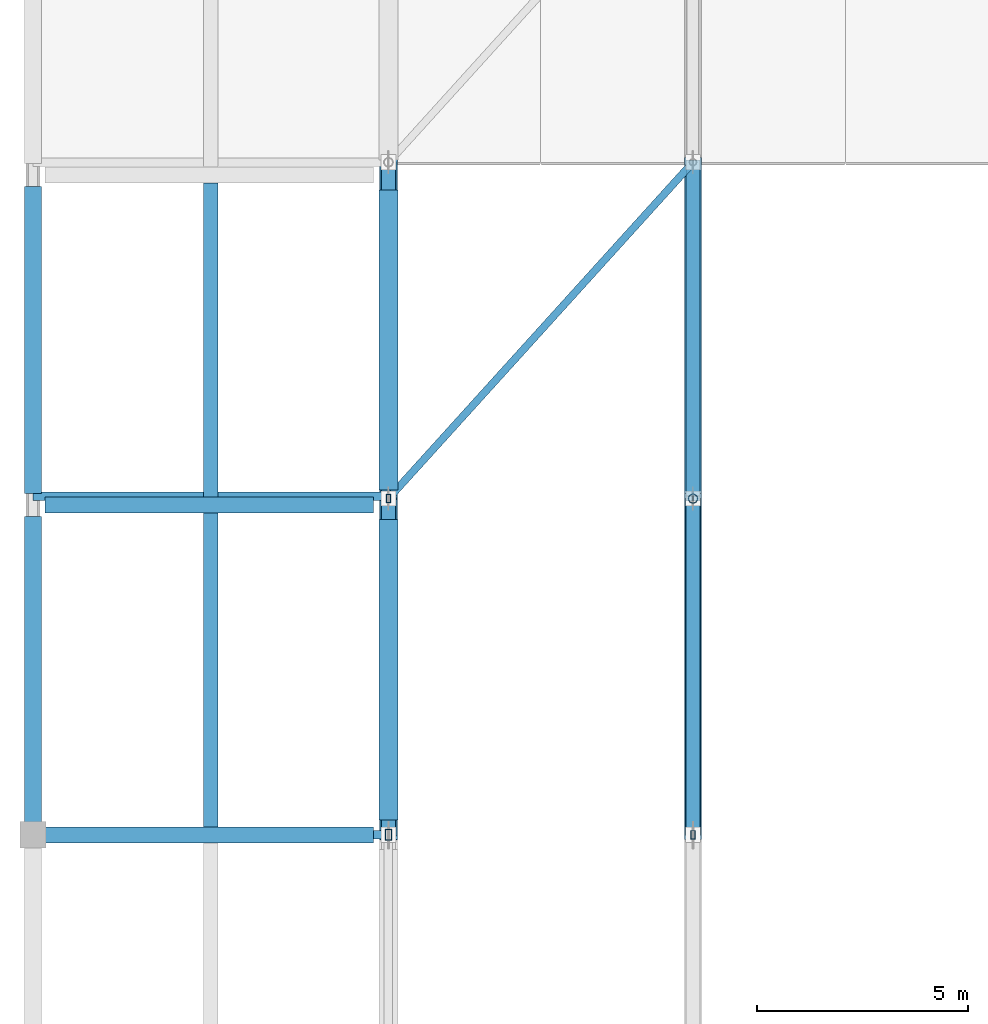
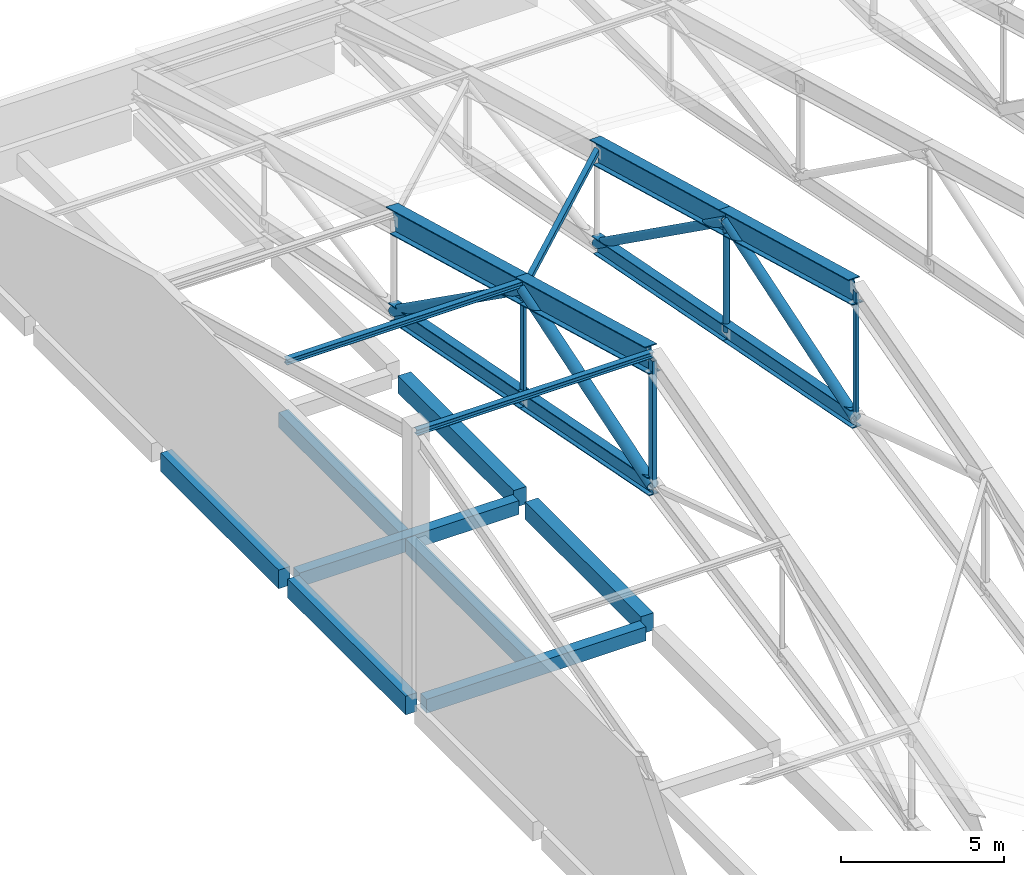
# One storey, part 14 of 53: 16 beams, 11 members.
"""IFC4 building model written with IfcOpenShell, lengths in metres."""

import ifcopenshell
import ifcopenshell.guid

model = None  # the IFC model being written
_history = None  # IfcOwnerHistory: only IFC2X3 demands one
_inside = {}  # id of a spatial element -> (the spatial element, [elements in it])
_under = {}  # id of a project, library or spatial element -> (it, [spatial elements below it])
_declared = {}  # id of a project -> (the project, [libraries it declares])
_typed = {}  # id of a type object -> (the type object, [elements of that type])
_made_of = {}  # id of a material, layer set ... -> (it, [elements and type objects made of it])


def new_model(schema):
    """Start an empty IFC model of exactly this schema.

    Asked for "IFC4X3", IfcOpenShell would pick the latest addendum, in which some entities
    have other attributes; the version numbers below select the first issue.
    IFC2X3 requires an IfcOwnerHistory on every rooted entity: one is made here for all.
    """
    global model, _history
    if schema == "IFC4X3":
        model = ifcopenshell.file(schema_version=(4, 3, 0, 0))
    else:
        model = ifcopenshell.file(schema=schema)
    _inside.clear()
    _under.clear()
    _declared.clear()
    _typed.clear()
    _made_of.clear()
    _history = None
    if model.schema == "IFC2X3":
        org = make("IfcOrganization", Name="unknown")
        user = make(
            "IfcPersonAndOrganization",
            ThePerson=make("IfcPerson", FamilyName="unknown"),
            TheOrganization=org,
        )
        app = make(
            "IfcApplication",
            ApplicationDeveloper=org,
            Version="unknown",
            ApplicationFullName="unknown",
            ApplicationIdentifier="unknown",
        )
        _history = make(
            "IfcOwnerHistory",
            OwningUser=user,
            OwningApplication=app,
            ChangeAction="ADDED",
            CreationDate=0,
        )
    return model


def make(cls, **values):
    """One entity of the class cls with the attributes given. An attribute that is None is left unset."""
    return model.create_entity(
        cls, **{name: value for name, value in values.items() if value is not None}
    )


def rooted(cls, **values):
    """An entity with a GlobalId (a new one), such as an element, a storey or a relation."""
    return make(cls, GlobalId=ifcopenshell.guid.new(), OwnerHistory=_history, **values)


def si_unit(unit_type, name, prefix=None):
    """IfcSIUnit, for example si_unit("LENGTHUNIT", "METRE", prefix="MILLI")."""
    return make("IfcSIUnit", UnitType=unit_type, Prefix=prefix, Name=name)


def assignment(units):
    """IfcUnitAssignment: the units of a project."""
    return None if units is None else make("IfcUnitAssignment", Units=units)


def point(xyz):
    """IfcCartesianPoint."""
    return None if xyz is None else make("IfcCartesianPoint", Coordinates=xyz)


def direction(xyz):
    """IfcDirection."""
    return None if xyz is None else make("IfcDirection", DirectionRatios=xyz)


def frame(location, z_axis=None, x_axis=None):
    """IfcAxis2Placement3D, a coordinate frame: its origin and axes. An axis left out is left unset."""
    return make(
        "IfcAxis2Placement3D",
        Location=point(location),
        Axis=direction(z_axis),
        RefDirection=direction(x_axis),
    )


def frame_2d(location, x_axis=None):
    """IfcAxis2Placement2D, a coordinate frame in the plane: its origin and x axis."""
    return make(
        "IfcAxis2Placement2D", Location=point(location), RefDirection=direction(x_axis)
    )


def origin():
    """The frame at (0, 0, 0) with its axes left unset."""
    return frame((0.0, 0.0, 0.0))


def origin_2d():
    """The frame at (0, 0) in the plane with its x axis left unset."""
    return frame_2d((0.0, 0.0))


def place(relative_to, where):
    """IfcLocalPlacement: puts the frame where relative to a parent placement (None: the world)."""
    return make(
        "IfcLocalPlacement", PlacementRelTo=relative_to, RelativePlacement=where
    )


def context(
    kind, dimensions, precision=None, world=None, true_north=None, identifier=None
):
    """IfcGeometricRepresentationContext, for example the 3D "Model" context."""
    return make(
        "IfcGeometricRepresentationContext",
        ContextIdentifier=identifier,
        ContextType=kind,
        CoordinateSpaceDimension=dimensions,
        Precision=precision,
        WorldCoordinateSystem=world,
        TrueNorth=true_north,
    )


def subcontext(parent, identifier, kind, view, scale=None):
    """IfcGeometricRepresentationSubContext, for example "Body" below "Model"."""
    return make(
        "IfcGeometricRepresentationSubContext",
        ContextIdentifier=identifier,
        ContextType=kind,
        ParentContext=parent,
        TargetScale=scale,
        TargetView=view,
    )


def project(units=None, contexts=None):
    """IfcProject with its units and contexts."""
    return rooted(
        "IfcProject",
        Name="project",
        RepresentationContexts=contexts,
        UnitsInContext=assignment(units),
    )


def spatial(cls, under=None, at=None, **own):
    """A site, building, storey or space (cls), placed at a placement, below another one or the project."""
    s = rooted(cls, ObjectPlacement=at, **own)
    if under is not None:
        _under.setdefault(under.id(), (under, []))[1].append(s)
    return s


def profile(cls, at=None, kind="AREA", **sizes):
    """A parametric profile (cls). Its sizes go by their IFC names, for example OverallWidth=200.0."""
    return make(cls, ProfileType=kind, Position=at, **sizes)


def rectangle(**sizes):
    """IfcRectangleProfileDef."""
    return profile("IfcRectangleProfileDef", **sizes)


def hollow_rectangle(**sizes):
    """IfcRectangleHollowProfileDef."""
    return profile("IfcRectangleHollowProfileDef", **sizes)


def hollow_circle(**sizes):
    """IfcCircleHollowProfileDef."""
    return profile("IfcCircleHollowProfileDef", **sizes)


def i_section(**sizes):
    """IfcIShapeProfileDef."""
    return profile("IfcIShapeProfileDef", **sizes)


def extrude(swept, where, along, depth):
    """IfcExtrudedAreaSolid: the profile swept, set in the frame where, extruded along a direction by depth."""
    return make(
        "IfcExtrudedAreaSolid",
        SweptArea=swept,
        Position=where,
        ExtrudedDirection=direction(along),
        Depth=depth,
    )


def shape(context_of_items, identifier, shape_type, items):
    """IfcShapeRepresentation: the items that make up one representation, for example the "Body"."""
    return make(
        "IfcShapeRepresentation",
        ContextOfItems=context_of_items,
        RepresentationIdentifier=identifier,
        RepresentationType=shape_type,
        Items=items,
    )


def material(Name=None, Category=None):
    """IfcMaterial."""
    return make("IfcMaterial", Name=Name, Category=Category)


def material_profile(
    of_material, cross_section, Name=None, Category=None, Priority=None
):
    """IfcMaterialProfile: a cross section and its material."""
    return make(
        "IfcMaterialProfile",
        Name=Name,
        Material=of_material,
        Profile=cross_section,
        Priority=Priority,
        Category=Category,
    )


def profile_set(profiles, Name=None, composite=None):
    """IfcMaterialProfileSet."""
    return make(
        "IfcMaterialProfileSet",
        Name=Name,
        MaterialProfiles=profiles,
        CompositeProfile=composite,
    )


def made_of(thing, what):
    """Note that an element or type object is made of a material, layer set ...; save() writes the relation."""
    if what is not None:
        _made_of.setdefault(what.id(), (what, []))[1].append(thing)
    return thing


def type_object(cls, material=None, **own):
    """A type object (cls), such as IfcWallType, which elements share."""
    return made_of(rooted(cls, **own), material)


def element(
    cls,
    number,
    at=None,
    inside=None,
    cuts=None,
    type_object=None,
    material=None,
    context=None,
    identifier="Body",
    shape_type=None,
    held_by="IfcProductDefinitionShape",
    body=None,
    shapes=None,
    **own,
):
    """One element of the class cls, such as IfcWall. Its Tag is "e" and its number.

    at: its placement. inside: the storey or other place that contains it. cuts: it is an
    opening in that element (IfcRelVoidsElement). A single representation is given by context,
    identifier, shape_type and body (its items); several are given by shapes. held_by: the class
    of the entity that holds the representations. save() writes the other relations.
    """
    e = rooted(cls, Tag="e%d" % number, ObjectPlacement=at, **own)
    if body is not None:
        shapes = [shape(context, identifier, shape_type, body)]
    if shapes is not None:
        e.Representation = make(held_by, Representations=shapes)
    if inside is not None:
        _inside.setdefault(inside.id(), (inside, []))[1].append(e)
    if cuts is not None:
        rooted(
            "IfcRelVoidsElement", RelatingBuildingElement=cuts, RelatedOpeningElement=e
        )
    if type_object is not None:
        _typed.setdefault(type_object.id(), (type_object, []))[1].append(e)
    return made_of(e, material)


def aggregate(whole, parts):
    """IfcRelAggregates: a whole, such as a stair, and the parts it consists of."""
    return rooted("IfcRelAggregates", RelatingObject=whole, RelatedObjects=parts)


def save(model, path):
    """Write the relations noted so far, then the file.

    IfcRelAggregates (storeys below a building ...), IfcRelContainedInSpatialStructure (elements
    in a storey), IfcRelDefinesByType, IfcRelAssociatesMaterial and IfcRelDeclares: one each for
    every whole, place, type object, material and project.
    """
    for whole, parts in _under.values():
        aggregate(whole, parts)
    for where, things in _inside.values():
        rooted(
            "IfcRelContainedInSpatialStructure",
            RelatedElements=things,
            RelatingStructure=where,
        )
    for kind, things in _typed.values():
        rooted("IfcRelDefinesByType", RelatedObjects=things, RelatingType=kind)
    for what, things in _made_of.values():
        rooted("IfcRelAssociatesMaterial", RelatedObjects=things, RelatingMaterial=what)
    for by, libraries in _declared.values():
        rooted("IfcRelDeclares", RelatingContext=by, RelatedDefinitions=libraries)
    model.write(path)


model = new_model("IFC4")

# Units and contexts
model_context = context("Model", 3, precision=1e-05, world=origin(), true_north=direction((0.0, 1.0)))
body_context = subcontext(model_context, "Body", "Model", "MODEL_VIEW")
ifc_project = project(units=[si_unit("LENGTHUNIT", "METRE"), si_unit("AREAUNIT", "SQUARE_METRE"), si_unit("VOLUMEUNIT", "CUBIC_METRE"), si_unit("PLANEANGLEUNIT", "RADIAN"), si_unit("MASSUNIT", "GRAM", prefix="KILO")], contexts=[model_context])

# Site, building, storey
site_placement = place(None, origin())
site = spatial("IfcSite", under=ifc_project, at=site_placement, CompositionType="ELEMENT")
building_placement = place(site_placement, origin())
building = spatial("IfcBuilding", under=site, at=building_placement, Name="Pellamere Symphony Hall", CompositionType="ELEMENT")
storey_placement = place(building_placement, frame((0.0, 0.0, 24.0)))
storey = spatial("IfcBuildingStorey", under=building, at=storey_placement, Name="L05", CompositionType="ELEMENT", Elevation=24.0)

# Beams
ifc_material_1 = material(Name="Concrete 40 MPa", Category="concrete")
ifc_material_profile_1 = material_profile(ifc_material_1, rectangle(XDim=0.449951171875, YDim=0.64990234375, at=origin_2d()), Name="RC 450x650")
ifc_profile_set_1 = profile_set([ifc_material_profile_1], Name="Concrete 40 MPa")
beam_type_1 = type_object("IfcBeamType", Name="RC CB-08 450x650", PredefinedType="BEAM", material=ifc_profile_set_1)
for number, where, z_axis, x_axis, name in (
    (1, (58.800048828125, 62.14990234375, -0.5849609375), (0.0, 1.0, 0.0), (-1.0, 0.0, 0.0), "Girder CB-08-Y2082 (L05)"),
    (2, (58.800048828125, 69.949951171875, -0.5849609375), (0.0, 1.0, 0.0), (-1.0, 0.0, 0.0), "Girder CB-08-Y2083 (L05)"),
):
    element("IfcBeam", number, at=place(storey_placement, frame(where, z_axis=z_axis, x_axis=x_axis)), inside=storey, type_object=beam_type_1, Name=name, PredefinedType="BEAM", context=body_context, shape_type="SweptSolid", body=[
        extrude(rectangle(XDim=0.449951171875, YDim=0.64990234375, at=origin_2d()), origin(), (0.0, 0.0, 1.0), 7.10009765625),
    ])
ifc_material_2 = material(Name="Concrete 35 MPa", Category="concrete")
ifc_material_profile_2 = material_profile(ifc_material_2, rectangle(XDim=0.35009765625, YDim=0.550048828125, at=origin_2d()), Name="RC 350x550")
ifc_profile_set_2 = profile_set([ifc_material_profile_2], Name="Concrete 35 MPa")
beam_type_2 = type_object("IfcBeamType", Name="RC CB-10 350x550", PredefinedType="BEAM", material=ifc_profile_set_2)
for number, where, z_axis, x_axis, name in (
    (3, (54.60009765625, 61.989990234375, -0.550048828125), (0.0, 1.0, 0.0), (-1.0, 0.0, 0.0), "Secondary Floor Beam CB-10-M0608 (L05)"),
    (4, (54.60009765625, 69.7900390625, -0.550048828125), (0.0, 1.0, 0.0), (-1.0, 0.0, 0.0), "Secondary Floor Beam CB-10-M0609 (L05)"),
):
    element("IfcBeam", number, at=place(storey_placement, frame(where, z_axis=z_axis, x_axis=x_axis)), inside=storey, type_object=beam_type_2, Name=name, PredefinedType="BEAM", context=body_context, shape_type="SweptSolid", body=[
        extrude(rectangle(XDim=0.35009765625, YDim=0.550048828125, at=origin_2d()), origin(), (0.0, 0.0, 1.0), 7.419921875),
    ])
ifc_material_profile_3 = material_profile(ifc_material_1, rectangle(XDim=0.39990234375, YDim=0.699951171875, at=origin_2d()), Name="RC 400x700")
ifc_profile_set_3 = profile_set([ifc_material_profile_3], Name="Concrete 40 MPa")
beam_type_3 = type_object("IfcBeamType", Name="RC CB-13 400x700", PredefinedType="SPANDREL", material=ifc_profile_set_3)
for number, where, z_axis, x_axis, name in (
    (5, (50.39990234375, 62.074951171875, -0.610107421875), (0.0, 1.0, 0.0), (-1.0, 0.0, 0.0), "Girder CB-13-Y2074 (L05)"),
    (6, (50.39990234375, 69.875, -0.610107421875), (0.0, 1.0, 0.0), (-1.0, 0.0, 0.0), "Girder CB-13-Y2075 (L05)"),
):
    element("IfcBeam", number, at=place(storey_placement, frame(where, z_axis=z_axis, x_axis=x_axis)), inside=storey, type_object=beam_type_3, Name=name, PredefinedType="SPANDREL", context=body_context, shape_type="SweptSolid", body=[
        extrude(rectangle(XDim=0.39990234375, YDim=0.699951171875, at=origin_2d()), origin(), (0.0, 0.0, 1.0), 7.25),
    ])
ifc_material_profile_4 = material_profile(ifc_material_1, rectangle(XDim=0.3798828125, YDim=0.52001953125, at=origin_2d()), Name="RC 380x520")
ifc_profile_set_4 = profile_set([ifc_material_profile_4], Name="Concrete 40 MPa")
beam_type_4 = type_object("IfcBeamType", Name="RC CB-21 380x520", PredefinedType="BEAM", material=ifc_profile_set_4)
for number, where, z_axis, x_axis, name in (
    (7, (50.675048828125, 61.800048828125, -0.52001953125), (1.0, 0.0, 0.0), (0.0, 1.0, 0.0), "Girder CB-21-X2041 (L05)"),
    (8, (50.675048828125, 69.60009765625, -0.52001953125), (1.0, 0.0, 0.0), (0.0, 1.0, 0.0), "Girder CB-21-X2046 (L05)"),
):
    element("IfcBeam", number, at=place(storey_placement, frame(where, z_axis=z_axis, x_axis=x_axis)), inside=storey, type_object=beam_type_4, Name=name, PredefinedType="BEAM", context=body_context, shape_type="SweptSolid", body=[
        extrude(rectangle(XDim=0.3798828125, YDim=0.52001953125, at=origin_2d()), origin(), (0.0, 0.0, 1.0), 7.77490234375),
    ])
ifc_material_3 = material(Name="Steel CSA G40.21 350W", Category="steel")
ifc_material_profile_5 = material_profile(ifc_material_3, i_section(OverallWidth=0.41796875, OverallDepth=0.912109375, WebThickness=0.019287109375, FlangeThickness=0.031982421875, at=origin_2d()), Name="W920X342")
ifc_profile_set_5 = profile_set([ifc_material_profile_5], Name="Steel CSA G40.21 350W")
beam_type_5 = type_object("IfcBeamType", Name="Steel Beam SB-01 W920X342", PredefinedType="BEAM", material=ifc_profile_set_5)
for number, where, z_axis, x_axis, name in (
    (9, (58.800048828125, 61.800048828125, 9.5390625), (0.0, 0.964090435702, -0.265574154969), (-1.0, 0.0, 0.0), "Roof Truss TR-01 Top Chord 5"),
    (10, (58.800048828125, 69.75, 7.34912109375), (0.0, 0.964082854885, -0.265601673408), (-1.0, 0.0, 0.0), "Roof Truss TR-01 Top Chord 6"),
):
    element("IfcBeam", number, at=place(storey_placement, frame(where, z_axis=z_axis, x_axis=x_axis)), inside=storey, type_object=beam_type_5, Name=name, PredefinedType="BEAM", context=body_context, shape_type="SweptSolid", body=[
        extrude(i_section(OverallWidth=0.41796875, OverallDepth=0.912109375, WebThickness=0.019287109375, FlangeThickness=0.031982421875, at=origin_2d()), origin(), (0.0, 0.0, 1.0), 8.24609375),
    ])
ifc_material_profile_6 = material_profile(ifc_material_3, i_section(OverallWidth=0.39990234375, OverallDepth=0.85498046875, WebThickness=0.018310546875, FlangeThickness=0.029296875, at=origin_2d()), Name="W840X299")
ifc_profile_set_6 = profile_set([ifc_material_profile_6], Name="Steel CSA G40.21 350W")
beam_type_6 = type_object("IfcBeamType", Name="Steel Beam SB-03 W840X299", PredefinedType="BEAM", material=ifc_profile_set_6)
for number, where, z_axis, x_axis, name in (
    (11, (66.0, 61.800048828125, 9.5673828125), (0.0, 0.964090435702, -0.265574154969), (-1.0, 0.0, 0.0), "Roof Truss TR-02 Top Chord 5"),
    (12, (66.0, 69.75, 7.37744140625), (0.0, 0.964090435702, -0.265574154969), (-1.0, 0.0, 0.0), "Roof Truss TR-02 Top Chord 6"),
):
    element("IfcBeam", number, at=place(storey_placement, frame(where, z_axis=z_axis, x_axis=x_axis)), inside=storey, type_object=beam_type_6, Name=name, PredefinedType="BEAM", context=body_context, shape_type="SweptSolid", body=[
        extrude(i_section(OverallWidth=0.39990234375, OverallDepth=0.85498046875, WebThickness=0.018310546875, FlangeThickness=0.029296875, at=origin_2d()), origin(), (0.0, 0.0, 1.0), 8.24609375),
    ])
ifc_material_profile_7 = material_profile(ifc_material_3, i_section(OverallWidth=0.3291015625, OverallDepth=0.635009765625, WebThickness=0.017822265625, FlangeThickness=0.031005859375, at=origin_2d()), Name="W610X241")
ifc_profile_set_7 = profile_set([ifc_material_profile_7], Name="Steel CSA G40.21 350W")
beam_type_7 = type_object("IfcBeamType", Name="Steel Beam SB-09 W610X241", PredefinedType="BEAM", material=ifc_profile_set_7)
for number, where, z_axis, x_axis, name in (
    (13, (58.800048828125, 61.800048828125, 4.800048828125), (0.0, 0.981596715528, -0.190965672477), (-1.0, 0.0, 0.0), "Roof Truss TR-01 Bottom Chord 5"),
    (14, (58.800048828125, 69.75, 3.25341796875), (0.0, 0.981596715528, -0.190965672477), (-1.0, 0.0, 0.0), "Roof Truss TR-01 Bottom Chord 6"),
):
    element("IfcBeam", number, at=place(storey_placement, frame(where, z_axis=z_axis, x_axis=x_axis)), inside=storey, type_object=beam_type_7, Name=name, PredefinedType="BEAM", context=body_context, shape_type="SweptSolid", body=[
        extrude(i_section(OverallWidth=0.3291015625, OverallDepth=0.635009765625, WebThickness=0.017822265625, FlangeThickness=0.031005859375, at=origin_2d()), origin(), (0.0, 0.0, 1.0), 8.09912109375),
    ])
ifc_material_profile_8 = material_profile(ifc_material_3, i_section(OverallWidth=0.324951171875, OverallDepth=0.615966796875, WebThickness=0.013916015625, FlangeThickness=0.021484375, at=origin_2d()), Name="W610X174")
ifc_profile_set_8 = profile_set([ifc_material_profile_8], Name="Steel CSA G40.21 350W")
beam_type_8 = type_object("IfcBeamType", Name="Steel Beam SB-10 W610X174", PredefinedType="BEAM", material=ifc_profile_set_8)
for number, where, z_axis, x_axis, name in (
    (15, (66.0, 61.800048828125, 4.800048828125), (0.0, 0.981596715528, -0.190965672477), (-1.0, 0.0, 0.0), "Roof Truss TR-02 Bottom Chord 5"),
    (16, (66.0, 69.75, 3.25341796875), (0.0, 0.981596715528, -0.190965672477), (-1.0, 0.0, 0.0), "Roof Truss TR-02 Bottom Chord 6"),
):
    element("IfcBeam", number, at=place(storey_placement, frame(where, z_axis=z_axis, x_axis=x_axis)), inside=storey, type_object=beam_type_8, Name=name, PredefinedType="BEAM", context=body_context, shape_type="SweptSolid", body=[
        extrude(i_section(OverallWidth=0.324951171875, OverallDepth=0.615966796875, WebThickness=0.013916015625, FlangeThickness=0.021484375, at=origin_2d()), origin(), (0.0, 0.0, 1.0), 8.09912109375),
    ])

# Members
ifc_material_profile_9 = material_profile(ifc_material_3, hollow_rectangle(XDim=0.177734375, YDim=0.177734375, WallThickness=0.009521484375, at=origin_2d()), Name="HSS178X178X10")
ifc_profile_set_9 = profile_set([ifc_material_profile_9], Name="Steel CSA G40.21 350W")
member_type_1 = type_object("IfcMemberType", Name="Steel Member SM-05 HSS178X178X10", PredefinedType="BRACE", material=ifc_profile_set_9)
member_1_placement = place(storey_placement, frame((58.800048828125, 69.75, 7.34912109375), z_axis=(0.658048279578, 0.726595440232, -0.197563984517), x_axis=(-0.741204587213, 0.67127919668, 0.0)))
element("IfcMember", 17, at=member_1_placement, inside=storey, type_object=member_type_1, Name="Roof Truss Plan Wind Brace 1.5", PredefinedType="BRACE", context=body_context, shape_type="SweptSolid", body=[
    extrude(hollow_rectangle(XDim=0.177734375, YDim=0.177734375, WallThickness=0.009521484375, at=origin_2d()), origin(), (0.0, 0.0, 1.0), 10.94140625),
])
ifc_material_profile_10 = material_profile(ifc_material_3, hollow_rectangle(XDim=0.15234375, YDim=0.25390625, WallThickness=0.010986328125, at=origin_2d()), Name="HSS254X152X11")
ifc_profile_set_10 = profile_set([ifc_material_profile_10], Name="Steel CSA G40.21 350W")
member_type_2 = type_object("IfcMemberType", Name="Steel Member SM-07 HSS254X152X11", PredefinedType="STRUT", material=ifc_profile_set_10)
member_2_placement = place(storey_placement, frame((58.800048828125, 61.800048828125, 4.800048828125), z_axis=(0.0, 0.0, 1.0), x_axis=(1.0, 0.0, 0.0)))
element("IfcMember", 18, at=member_2_placement, inside=storey, type_object=member_type_2, Name="Roof Truss TR-01 Vertical Post 4", PredefinedType="STRUT", context=body_context, shape_type="SweptSolid", body=[
    extrude(hollow_rectangle(XDim=0.15234375, YDim=0.25390625, WallThickness=0.010986328125, at=origin_2d()), origin(), (0.0, 0.0, 1.0), 4.739013671875),
])
ifc_material_profile_11 = material_profile(ifc_material_3, hollow_rectangle(XDim=0.1015625, YDim=0.203125, WallThickness=0.009521484375, at=origin_2d()), Name="HSS203X102X10")
ifc_profile_set_11 = profile_set([ifc_material_profile_11], Name="Steel CSA G40.21 350W")
member_type_3 = type_object("IfcMemberType", Name="Steel Member SM-08 HSS203X102X10", PredefinedType="STRUT", material=ifc_profile_set_11)
member_3_placement = place(storey_placement, frame((58.800048828125, 69.75, 3.25341796875), z_axis=(0.0, 0.0, 1.0), x_axis=(1.0, 0.0, 0.0)))
element("IfcMember", 19, at=member_3_placement, inside=storey, type_object=member_type_3, Name="Roof Truss TR-01 Vertical Post 5", PredefinedType="STRUT", context=body_context, shape_type="SweptSolid", body=[
    extrude(hollow_rectangle(XDim=0.1015625, YDim=0.203125, WallThickness=0.009521484375, at=origin_2d()), origin(), (0.0, 0.0, 1.0), 4.095703125),
])
member_4_placement = place(storey_placement, frame((66.0, 61.800048828125, 4.800048828125), z_axis=(0.0, 0.0, 1.0), x_axis=(1.0, 0.0, 0.0)))
element("IfcMember", 20, at=member_4_placement, inside=storey, type_object=member_type_3, Name="Roof Truss TR-02 Vertical Post 4", PredefinedType="STRUT", context=body_context, shape_type="SweptSolid", body=[
    extrude(hollow_rectangle(XDim=0.1015625, YDim=0.203125, WallThickness=0.009521484375, at=origin_2d()), origin(), (0.0, 0.0, 1.0), 4.767333984375),
])
ifc_material_profile_12 = material_profile(ifc_material_3, hollow_circle(Radius=0.203125, WallThickness=0.0126953125, at=origin_2d()), Name="HSS406X13")
ifc_profile_set_12 = profile_set([ifc_material_profile_12], Name="Steel CSA G40.21 350W")
member_type_4 = type_object("IfcMemberType", Name="Steel Member SM-09 HSS406X13", PredefinedType="STRUT", material=ifc_profile_set_12)
member_5_placement = place(storey_placement, frame((58.800048828125, 61.800048828125, 4.800048828125), z_axis=(0.0, 0.952247084359, 0.305328495771), x_axis=(-1.0, 0.0, 0.0)))
element("IfcMember", 21, at=member_5_placement, inside=storey, type_object=member_type_4, Name="Roof Truss TR-01 Web Diagonal 5", PredefinedType="STRUT", context=body_context, shape_type="SweptSolid", body=[
    extrude(hollow_circle(Radius=0.203125, WallThickness=0.0126953125, at=origin_2d()), origin(), (0.0, 0.0, 1.0), 8.3486328125),
])
ifc_material_profile_13 = material_profile(ifc_material_3, hollow_circle(Radius=0.177734375, WallThickness=0.0126953125, at=origin_2d()), Name="HSS356X13")
ifc_profile_set_13 = profile_set([ifc_material_profile_13], Name="Steel CSA G40.21 350W")
member_type_5 = type_object("IfcMemberType", Name="Steel Member SM-10 HSS356X13", PredefinedType="STRUT", material=ifc_profile_set_13)
member_6_placement = place(storey_placement, frame((58.800048828125, 69.75, 7.34912109375), z_axis=(0.0, 0.815486173655, -0.578776554965), x_axis=(-1.0, 0.0, 0.0)))
element("IfcMember", 22, at=member_6_placement, inside=storey, type_object=member_type_5, Name="Roof Truss TR-01 Web Diagonal 6", PredefinedType="STRUT", context=body_context, shape_type="SweptSolid", body=[
    extrude(hollow_circle(Radius=0.177734375, WallThickness=0.0126953125, at=origin_2d()), origin(), (0.0, 0.0, 1.0), 9.748779296875),
])
member_7_placement = place(storey_placement, frame((66.0, 61.800048828125, 4.800048828125), z_axis=(0.0, 0.951256872243, 0.308399680627), x_axis=(-1.0, 0.0, 0.0)))
element("IfcMember", 23, at=member_7_placement, inside=storey, type_object=member_type_5, Name="Roof Truss TR-02 Web Diagonal 5", PredefinedType="STRUT", context=body_context, shape_type="SweptSolid", body=[
    extrude(hollow_circle(Radius=0.177734375, WallThickness=0.0126953125, at=origin_2d()), origin(), (0.0, 0.0, 1.0), 8.357421875),
])
ifc_material_profile_14 = material_profile(ifc_material_3, hollow_circle(Radius=0.161865234375, WallThickness=0.010986328125, at=origin_2d()), Name="HSS324X11")
ifc_profile_set_14 = profile_set([ifc_material_profile_14], Name="Steel CSA G40.21 350W")
member_type_6 = type_object("IfcMemberType", Name="Steel Member SM-11 HSS324X11", PredefinedType="BRACE", material=ifc_profile_set_14)
member_8_placement = place(storey_placement, frame((66.0, 69.75, 7.37744140625), z_axis=(0.0, 0.814115071221, -0.580703582571), x_axis=(-1.0, 0.0, 0.0)))
element("IfcMember", 24, at=member_8_placement, inside=storey, type_object=member_type_6, Name="Roof Truss TR-02 Web Diagonal 6", PredefinedType="BRACE", context=body_context, shape_type="SweptSolid", body=[
    extrude(hollow_circle(Radius=0.161865234375, WallThickness=0.010986328125, at=origin_2d()), origin(), (0.0, 0.0, 1.0), 9.76513671875),
])
ifc_material_profile_15 = material_profile(ifc_material_3, hollow_circle(Radius=0.109619140625, WallThickness=0.009521484375, at=origin_2d()), Name="HSS219X10")
ifc_profile_set_15 = profile_set([ifc_material_profile_15], Name="Steel CSA G40.21 350W")
member_type_7 = type_object("IfcMemberType", Name="Steel Member SM-13 HSS219X10", PredefinedType="STRUT", material=ifc_profile_set_15)
member_9_placement = place(storey_placement, frame((66.0, 69.75, 3.25341796875), z_axis=(0.0, 0.0, 1.0), x_axis=(1.0, 0.0, 0.0)))
element("IfcMember", 25, at=member_9_placement, inside=storey, type_object=member_type_7, Name="Roof Truss TR-02 Vertical Post 5", PredefinedType="STRUT", context=body_context, shape_type="SweptSolid", body=[
    extrude(hollow_circle(Radius=0.109619140625, WallThickness=0.009521484375, at=origin_2d()), origin(), (0.0, 0.0, 1.0), 4.1240234375),
])
ifc_material_profile_16 = material_profile(ifc_material_3, i_section(OverallWidth=0.2041015625, OverallDepth=0.2060546875, WebThickness=0.0078125, FlangeThickness=0.0126953125, at=origin_2d()), Name="W200X52")
ifc_profile_set_16 = profile_set([ifc_material_profile_16], Name="Steel CSA G40.21 350W")
member_type_8 = type_object("IfcMemberType", Name="Steel Member SM-15 W200X52", PredefinedType="PURLIN", material=ifc_profile_set_16)
for number, where, z_axis, x_axis, name in (
    (26, (50.39990234375, 61.800048828125, 9.760009765625), (1.0, 0.0, 0.0), (0.0, 1.0, 0.0), "Crystal Foyer Roof Purlin W.4"),
    (27, (50.39990234375, 69.800048828125, 7.55615234375), (1.0, 0.0, 0.0), (0.0, 1.0, 0.0), "Crystal Foyer Roof Purlin W.5"),
):
    element("IfcMember", number, at=place(storey_placement, frame(where, z_axis=z_axis, x_axis=x_axis)), inside=storey, type_object=member_type_8, Name=name, PredefinedType="PURLIN", context=body_context, shape_type="SweptSolid", body=[
        extrude(i_section(OverallWidth=0.2041015625, OverallDepth=0.2060546875, WebThickness=0.0078125, FlangeThickness=0.0126953125, at=origin_2d()), origin(), (0.0, 0.0, 1.0), 8.400146484375),
    ])

save(model, "model.ifc")
